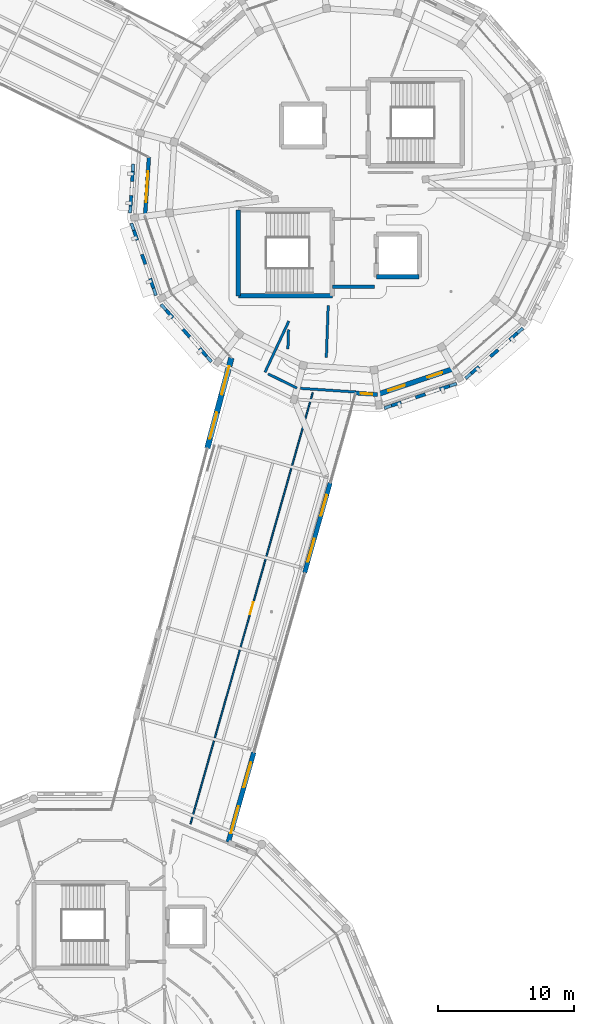
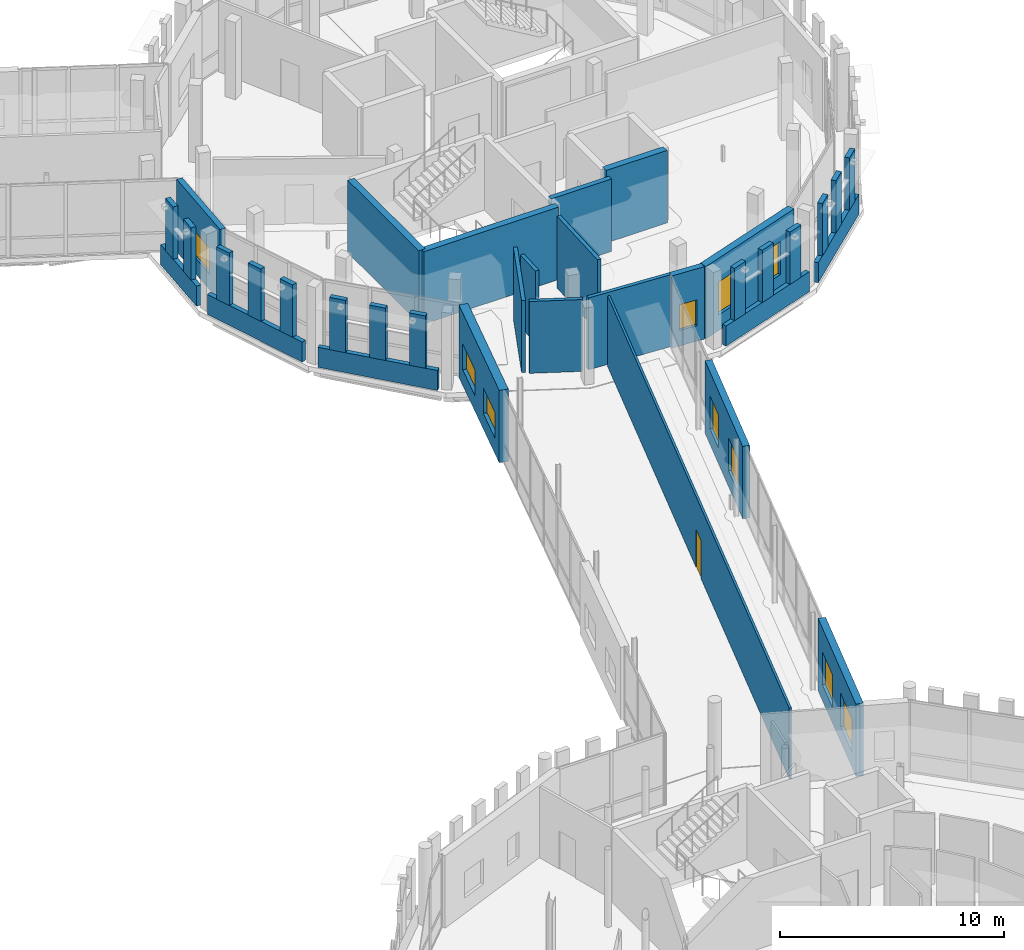
# One storey, part 101 of 125: 35 walls, 10 windows, 1 door, 11 openings.
"""IFC4 building model written with IfcOpenShell, lengths in metres."""

from ifc_helpers import new_model, si_unit, direction, frame, frame_2d, origin, place, context, subcontext, project, spatial, rectangle, extrude, material, layer, layer_set, type_object, element, fill, save


model = new_model("IFC4")

# Units and contexts
model_context = context("Model", 3, precision=1e-05, world=origin(), true_north=direction((0.0, 1.0)))
body_context = subcontext(model_context, "Body", "Model", "MODEL_VIEW")
ifc_project = project(units=[si_unit("LENGTHUNIT", "METRE"), si_unit("AREAUNIT", "SQUARE_METRE"), si_unit("VOLUMEUNIT", "CUBIC_METRE"), si_unit("PLANEANGLEUNIT", "RADIAN"), si_unit("MASSUNIT", "GRAM", prefix="KILO")], contexts=[model_context])

# Site, building, storey
site_placement = place(None, origin())
site = spatial("IfcSite", under=ifc_project, at=site_placement, CompositionType="ELEMENT")
building_placement = place(site_placement, origin())
building = spatial("IfcBuilding", under=site, at=building_placement, Name="Wrenclough Park School", CompositionType="ELEMENT")
storey_placement = place(building_placement, frame((0.0, 0.0, 4.199951171875)))
storey = spatial("IfcBuildingStorey", under=building, at=storey_placement, Name="L01", CompositionType="ELEMENT", Elevation=4.199951171875)

# Walls
ifc_material_1 = material(Name="Perforated open-bond Staffordshire and Manchester brick screen pier", Category="masonry")
ifc_layer_1 = layer(ifc_material_1, 0.2451171875)
ifc_layer_set_1 = layer_set([ifc_layer_1], Name="Perforated open-bond Staffordshire and Manchester brick screen pier")
wall_type_1 = type_object("IfcWallType", Name="ENV-BS-PR245", PredefinedType="ELEMENTEDWALL", material=ifc_layer_set_1)
for number, where, z_axis, x_axis, name in (
    (1, (158.450927734375, 94.822021484375, 1.090087890625), (0.0, 0.0, 1.0), (-0.065385923279, -0.997860050827, 0.0), "D5 L01 perforated brick screen pier 0367"),
    (2, (158.3330078125, 93.021240234375, 1.090087890625), (0.0, 0.0, 1.0), (-0.065385923279, -0.997860050827, 0.0), "D5 L01 perforated brick screen pier 0368"),
):
    element("IfcWall", number, at=place(storey_placement, frame(where, z_axis=z_axis, x_axis=x_axis)), inside=storey, type_object=wall_type_1, Name=name, PredefinedType="ELEMENTEDWALL", context=body_context, shape_type="SweptSolid", body=[
        extrude(rectangle(XDim=0.758056640625, YDim=0.2451171875, at=frame_2d((0.37890625, 0.0))), origin(), (0.0, 0.0, 1.0), 2.849853515625),
    ])
for number, where, z_axis, x_axis, name in (
    (3, (158.52783203125, 90.462158203125, 1.090087890625), (0.0, 0.0, 1.0), (0.321522655386, -0.946901886192, 0.0), "D5 L01 perforated brick screen pier 0369"),
    (4, (159.13134765625, 88.684326171875, 1.090087890625), (0.0, 0.0, 1.0), (0.32123461411, -0.946999642396, 0.0), "D5 L01 perforated brick screen pier 0370"),
):
    element("IfcWall", number, at=place(storey_placement, frame(where, z_axis=z_axis, x_axis=x_axis)), inside=storey, type_object=wall_type_1, Name=name, PredefinedType="ELEMENTEDWALL", context=body_context, shape_type="SweptSolid", body=[
        extrude(rectangle(XDim=0.760009765625, YDim=0.2451171875, at=frame_2d((0.3798828125, 0.0))), origin(), (0.0, 0.0, 1.0), 2.849853515625),
    ])
for number, where, z_axis, x_axis, name in (
    (5, (159.734619140625, 86.906494140625, 1.090087890625), (0.0, 0.0, 1.0), (0.321620473335, -0.946868666253, 0.0), "D5 L01 perforated brick screen pier 0371"),
    (6, (160.906005859375, 84.581298828125, 1.090087890625), (0.0, 0.0, 1.0), (0.659323125798, -0.751859704857, 0.0), "D5 L01 perforated brick screen pier 0372"),
):
    element("IfcWall", number, at=place(storey_placement, frame(where, z_axis=z_axis, x_axis=x_axis)), inside=storey, type_object=wall_type_1, Name=name, PredefinedType="ELEMENTEDWALL", context=body_context, shape_type="SweptSolid", body=[
        extrude(rectangle(XDim=0.759765625, YDim=0.2451171875, at=frame_2d((0.3798828125, 0.0))), origin(), (0.0, 0.0, 1.0), 2.849853515625),
    ])
wall_1_placement = place(storey_placement, frame((162.143798828125, 83.169921875, 1.090087890625), z_axis=(0.0, 0.0, 1.0), x_axis=(0.659345470196, -0.751840109951, 0.0)))
element("IfcWall", 7, at=wall_1_placement, inside=storey, type_object=wall_type_1, Name="D5 L01 perforated brick screen pier 0373", PredefinedType="ELEMENTEDWALL", context=body_context, shape_type="SweptSolid", body=[
    extrude(rectangle(XDim=0.76025390625, YDim=0.2451171875, at=frame_2d((0.380126953125, 0.0))), origin(), (0.0, 0.0, 1.0), 2.849853515625),
])
for number, where, z_axis, x_axis, name in (
    (8, (163.381591796875, 81.75830078125, 1.090087890625), (0.0, 0.0, 1.0), (0.659504701015, -0.751700438565, 0.0), "D5 L01 perforated brick screen pier 0374"),
    (9, (177.537841796875, 77.52783203125, 1.090087890625), (0.0, 0.0, 1.0), (0.946901886192, 0.321522655386, 0.0), "D5 L01 perforated brick screen pier 0375"),
    (10, (179.315673828125, 78.13134765625, 1.090087890625), (0.0, 0.0, 1.0), (0.946999642396, 0.32123461411, 0.0), "D5 L01 perforated brick screen pier 0376"),
):
    element("IfcWall", number, at=place(storey_placement, frame(where, z_axis=z_axis, x_axis=x_axis)), inside=storey, type_object=wall_type_1, Name=name, PredefinedType="ELEMENTEDWALL", context=body_context, shape_type="SweptSolid", body=[
        extrude(rectangle(XDim=0.760009765625, YDim=0.2451171875, at=frame_2d((0.3798828125, 0.0))), origin(), (0.0, 0.0, 1.0), 2.849853515625),
    ])
for number, where, z_axis, x_axis, name in (
    (11, (181.093505859375, 78.734619140625, 1.090087890625), (0.0, 0.0, 1.0), (0.946868666253, 0.321620473335, 0.0), "D5 L01 perforated brick screen pier 0377"),
    (12, (183.418701171875, 79.906005859375, 1.090087890625), (0.0, 0.0, 1.0), (0.751859704857, 0.659323125798, 0.0), "D5 L01 perforated brick screen pier 0378"),
):
    element("IfcWall", number, at=place(storey_placement, frame(where, z_axis=z_axis, x_axis=x_axis)), inside=storey, type_object=wall_type_1, Name=name, PredefinedType="ELEMENTEDWALL", context=body_context, shape_type="SweptSolid", body=[
        extrude(rectangle(XDim=0.759765625, YDim=0.2451171875, at=frame_2d((0.3798828125, 0.0))), origin(), (0.0, 0.0, 1.0), 2.849853515625),
    ])
wall_2_placement = place(storey_placement, frame((184.830078125, 81.143798828125, 1.090087890625), z_axis=(0.0, 0.0, 1.0), x_axis=(0.751840109951, 0.659345470196, 0.0)))
element("IfcWall", 13, at=wall_2_placement, inside=storey, type_object=wall_type_1, Name="D5 L01 perforated brick screen pier 0379", PredefinedType="ELEMENTEDWALL", context=body_context, shape_type="SweptSolid", body=[
    extrude(rectangle(XDim=0.76025390625, YDim=0.2451171875, at=frame_2d((0.380126953125, 0.0))), origin(), (0.0, 0.0, 1.0), 2.849853515625),
])
wall_3_placement = place(storey_placement, frame((186.24169921875, 82.381591796875, 1.090087890625), z_axis=(0.0, 0.0, 1.0), x_axis=(0.751700438565, 0.659504701015, 0.0)))
element("IfcWall", 14, at=wall_3_placement, inside=storey, type_object=wall_type_1, Name="D5 L01 perforated brick screen pier 0380", PredefinedType="ELEMENTEDWALL", context=body_context, shape_type="SweptSolid", body=[
    extrude(rectangle(XDim=0.760009765625, YDim=0.2451171875, at=frame_2d((0.3798828125, 0.0))), origin(), (0.0, 0.0, 1.0), 2.849853515625),
])
ifc_material_2 = material(Name="Open-bond Manchester multi-stock brick spandrel screen", Category="masonry")
ifc_layer_2 = layer(ifc_material_2, 0.22509765625)
ifc_layer_set_2 = layer_set([ifc_layer_2], Name="Open-bond Manchester multi-stock brick spandrel screen")
wall_type_2 = type_object("IfcWallType", Name="ENV-BS-SP225", PredefinedType="ELEMENTEDWALL", material=ifc_layer_set_2)
wall_4_placement = place(storey_placement, frame((158.485107421875, 95.343994140625, 0.0), z_axis=(0.0, 0.0, 1.0), x_axis=(-0.065351524468, -0.997862304253, 0.0)))
element("IfcWall", 15, at=wall_4_placement, inside=storey, type_object=wall_type_2, Name="D5 L01 open-bond brick screen spandrel 0102", PredefinedType="ELEMENTEDWALL", context=body_context, shape_type="SweptSolid", body=[
    extrude(rectangle(XDim=3.60888671875, YDim=0.22509765625, at=frame_2d((1.804443359375, 0.0))), origin(), (0.0, 0.0, 1.0), 1.090087890625),
])
wall_5_placement = place(storey_placement, frame((158.34814453125, 90.9912109375, 0.0), z_axis=(0.0, 0.0, 1.0), x_axis=(0.321450435893, -0.946926405411, 0.0)))
element("IfcWall", 16, at=wall_5_placement, inside=storey, type_object=wall_type_2, Name="D5 L01 open-bond brick screen spandrel 0103", PredefinedType="ELEMENTEDWALL", context=body_context, shape_type="SweptSolid", body=[
    extrude(rectangle(XDim=5.63232421875, YDim=0.22509765625, at=frame_2d((2.816162109375, 0.0))), origin(), (0.0, 0.0, 1.0), 1.090087890625),
])
wall_6_placement = place(storey_placement, frame((160.53759765625, 85.001220703125, 0.0), z_axis=(0.0, 0.0, 1.0), x_axis=(0.659363462551, -0.751824330714, 0.0)))
element("IfcWall", 17, at=wall_6_placement, inside=storey, type_object=wall_type_2, Name="D5 L01 open-bond brick screen spandrel 0104", PredefinedType="ELEMENTEDWALL", context=body_context, shape_type="SweptSolid", body=[
    extrude(rectangle(XDim=5.632080078125, YDim=0.22509765625, at=frame_2d((2.81591796875, 0.0))), origin(), (0.0, 0.0, 1.0), 1.090087890625),
])
wall_7_placement = place(storey_placement, frame((177.0087890625, 77.34814453125, 0.0), z_axis=(0.0, 0.0, 1.0), x_axis=(0.946926405411, 0.321450435893, 0.0)))
element("IfcWall", 18, at=wall_7_placement, inside=storey, type_object=wall_type_2, Name="D5 L01 open-bond brick screen spandrel 0105", PredefinedType="ELEMENTEDWALL", context=body_context, shape_type="SweptSolid", body=[
    extrude(rectangle(XDim=5.63232421875, YDim=0.22509765625, at=frame_2d((2.816162109375, 0.0))), origin(), (0.0, 0.0, 1.0), 1.090087890625),
])
wall_8_placement = place(storey_placement, frame((182.998779296875, 79.53759765625, 0.0), z_axis=(0.0, 0.0, 1.0), x_axis=(0.751824330714, 0.659363462551, 0.0)))
element("IfcWall", 19, at=wall_8_placement, inside=storey, type_object=wall_type_2, Name="D5 L01 open-bond brick screen spandrel 0106", PredefinedType="ELEMENTEDWALL", context=body_context, shape_type="SweptSolid", body=[
    extrude(rectangle(XDim=5.632080078125, YDim=0.22509765625, at=frame_2d((2.81591796875, 0.0))), origin(), (0.0, 0.0, 1.0), 1.090087890625),
])

# Wall, opening, window
ifc_material_3 = material(Name="Link wing brick-faced cavity wall Concrete C32/40", Category="masonry")
ifc_layer_3 = layer(ifc_material_3, 0.27490234375)
ifc_layer_set_3 = layer_set([ifc_layer_3], Name="Link wing brick-faced cavity wall Concrete C32/40")
wall_type_3 = type_object("IfcWallType", Name="ENV-EW-275", PredefinedType="SOLIDWALL", material=ifc_layer_set_3)
wall_9_placement = place(storey_placement, frame((159.35302734375, 91.505859375, 0.0), z_axis=(0.0, 0.0, 1.0), x_axis=(0.065411302984, 0.997858387469, 0.0)))
wall_9 = element("IfcWall", 20, at=wall_9_placement, inside=storey, type_object=wall_type_3, Name="L01 insulated brick external wall 0118", PredefinedType="SOLIDWALL", context=body_context, shape_type="SweptSolid", body=[
    extrude(rectangle(XDim=4.359375, YDim=0.27490234375, at=frame_2d((2.1796875, 0.0))), origin(), (0.0, 0.0, 1.0), 3.93994140625),
])
opening_1_placement = place(wall_9_placement, frame((1.02978515625, 0.0, 0.85009765625)))
opening_1 = element("IfcOpeningElement", 21, at=opening_1_placement, cuts=wall_9, Name="Opening WN-11", PredefinedType="OPENING", context=body_context, shape_type="SweptSolid", body=[
    extrude(rectangle(XDim=2.300048828125, YDim=1.39990234375, at=frame_2d((1.14990234375, 0.699951171875))), frame((0.0, 0.1474609375, 0.0), z_axis=(0.0, -1.0, 0.0), x_axis=(1.0, 0.0, 0.0)), (0.0, 0.0, 1.0), 0.294921875),
])
ifc_material_4 = material(Name="Thermally broken aluminium and double-glazed low-e glass", Category="aluminium")
window_type_1 = type_object("IfcWindowType", Name="ENV-WN-11", PartitioningType="DOUBLE_PANEL_VERTICAL", PredefinedType="WINDOW", material=ifc_material_4)
window_1_placement = place(opening_1_placement, origin())
window_1 = element("IfcWindow", 22, at=window_1_placement, inside=storey, type_object=window_type_1, Name="L01 scheduled facade window 0178", OverallHeight=1.39990234375, OverallWidth=2.300048828125, PartitioningType="SINGLE_PANEL", PredefinedType="WINDOW", context=body_context, shape_type="SweptSolid", body=[
    extrude(rectangle(XDim=2.300048828125, YDim=1.39990234375, at=frame_2d((1.14990234375, 0.699951171875))), frame((0.0, 0.030029296875, 0.0), z_axis=(0.0, -1.0, 0.0), x_axis=(1.0, 0.0, 0.0)), (0.0, 0.0, 1.0), 0.06005859375),
])
fill(opening_1, window_1)

ifc_material_5 = material(Name="Manchester multi-stock brick and Concrete C32/40 inner leaf", Category="masonry")
ifc_layer_4 = layer(ifc_material_5, 0.300048828125)
ifc_layer_set_4 = layer_set([ifc_layer_4], Name="Manchester multi-stock brick and Concrete C32/40 inner leaf")
wall_type_4 = type_object("IfcWallType", Name="ENV-EW-300", PredefinedType="SOLIDWALL", material=ifc_layer_set_4)
wall_10_placement = place(storey_placement, frame((176.494140625, 78.35302734375, 0.0), z_axis=(0.0, 0.0, 1.0), x_axis=(-0.997862476256, 0.06534889808, 0.0)))
wall_10 = element("IfcWall", 23, at=wall_10_placement, inside=storey, type_object=wall_type_4, Name="L01 insulated brick external wall 0096", PredefinedType="SOLIDWALL", context=body_context, shape_type="SweptSolid", body=[
    extrude(rectangle(XDim=1.6064453125, YDim=0.300048828125, at=frame_2d((0.80322265625, 0.0))), origin(), (0.0, 0.0, 1.0), 3.93994140625),
])
opening_2_placement = place(wall_10_placement, frame((0.378173828125, 0.0, 0.85009765625)))
opening_2 = element("IfcOpeningElement", 24, at=opening_2_placement, cuts=wall_10, Name="Opening WN-01", PredefinedType="OPENING", context=body_context, shape_type="SweptSolid", body=[
    extrude(rectangle(XDim=0.85009765625, YDim=1.39990234375, at=frame_2d((0.425048828125, 0.699951171875))), frame((0.0, 0.159912109375, 0.0), z_axis=(0.0, -1.0, 0.0), x_axis=(1.0, 0.0, 0.0)), (0.0, 0.0, 1.0), 0.320068359375),
])
window_type_2 = type_object("IfcWindowType", Name="ENV-WN-01", PartitioningType="SINGLE_PANEL", PredefinedType="WINDOW", material=ifc_material_4)
window_2_placement = place(opening_2_placement, origin())
window_2 = element("IfcWindow", 25, at=window_2_placement, inside=storey, type_object=window_type_2, Name="L01 scheduled facade window 0139", OverallHeight=1.39990234375, OverallWidth=0.85009765625, PartitioningType="SINGLE_PANEL", PredefinedType="WINDOW", context=body_context, shape_type="SweptSolid", body=[
    extrude(rectangle(XDim=0.85009765625, YDim=1.39990234375, at=frame_2d((0.425048828125, 0.699951171875))), frame((0.0, 0.030029296875, 0.0), z_axis=(0.0, -1.0, 0.0), x_axis=(1.0, 0.0, 0.0)), (0.0, 0.0, 1.0), 0.06005859375),
])
fill(opening_2, window_2)

# Wall, openings, windows
ifc_layer_5 = layer(ifc_material_5, 0.324951171875)
ifc_layer_set_5 = layer_set([ifc_layer_5], Name="Manchester multi-stock brick and Concrete C32/40 inner leaf")
wall_type_5 = type_object("IfcWallType", Name="ENV-EW-325", PredefinedType="SOLIDWALL", material=ifc_layer_set_5)
wall_11_placement = place(storey_placement, frame((173.01171875, 71.83056640625, 0.0), z_axis=(0.0, 0.0, 1.0), x_axis=(-0.272843682921, -0.962058379045, 0.0)))
wall_11 = element("IfcWall", 26, at=wall_11_placement, inside=storey, type_object=wall_type_5, Name="L01 insulated brick external wall 0097", PredefinedType="SOLIDWALL", context=body_context, shape_type="SweptSolid", body=[
    extrude(rectangle(XDim=6.88916015625, YDim=0.324951171875, at=frame_2d((3.444580078125, 0.0))), origin(), (0.0, 0.0, 1.0), 3.93994140625),
])
opening_3_placement = place(wall_11_placement, frame((0.922119140625, 0.0, 0.85009765625)))
opening_3 = element("IfcOpeningElement", 27, at=opening_3_placement, cuts=wall_11, Name="Opening WN-29", PredefinedType="OPENING", context=body_context, shape_type="SweptSolid", body=[
    extrude(rectangle(XDim=1.60009765625, YDim=1.800048828125, at=frame_2d((0.800048828125, 0.89990234375))), frame((0.0, 0.17236328125, 0.0), z_axis=(0.0, -1.0, 0.0), x_axis=(1.0, 0.0, 0.0)), (0.0, 0.0, 1.0), 0.344970703125),
])
opening_4_placement = place(wall_11_placement, frame((4.291748046875, 0.0, 0.85009765625)))
opening_4 = element("IfcOpeningElement", 28, at=opening_4_placement, cuts=wall_11, Name="Opening WN-30", PredefinedType="OPENING", context=body_context, shape_type="SweptSolid", body=[
    extrude(rectangle(XDim=1.75, YDim=1.800048828125, at=frame_2d((0.875, 0.89990234375))), frame((0.0, 0.17236328125, 0.0), z_axis=(0.0, -1.0, 0.0), x_axis=(1.0, 0.0, 0.0)), (0.0, 0.0, 1.0), 0.344970703125),
])
window_type_3 = type_object("IfcWindowType", Name="ENV-WN-29", PartitioningType="DOUBLE_PANEL_VERTICAL", PredefinedType="WINDOW", material=ifc_material_4)
window_3_placement = place(opening_3_placement, origin())
window_3 = element("IfcWindow", 29, at=window_3_placement, inside=storey, type_object=window_type_3, Name="L01 scheduled facade window 0140", OverallHeight=1.800048828125, OverallWidth=1.60009765625, PartitioningType="SINGLE_PANEL", PredefinedType="WINDOW", context=body_context, shape_type="SweptSolid", body=[
    extrude(rectangle(XDim=1.60009765625, YDim=1.800048828125, at=frame_2d((0.800048828125, 0.89990234375))), frame((0.0, 0.030029296875, 0.0), z_axis=(0.0, -1.0, 0.0), x_axis=(1.0, 0.0, 0.0)), (0.0, 0.0, 1.0), 0.06005859375),
])
fill(opening_3, window_3)
window_type_4 = type_object("IfcWindowType", Name="ENV-WN-30", PartitioningType="DOUBLE_PANEL_VERTICAL", PredefinedType="WINDOW", material=ifc_material_4)
window_4_placement = place(opening_4_placement, origin())
window_4 = element("IfcWindow", 30, at=window_4_placement, inside=storey, type_object=window_type_4, Name="L01 scheduled facade window 0141", OverallHeight=1.800048828125, OverallWidth=1.75, PartitioningType="SINGLE_PANEL", PredefinedType="WINDOW", context=body_context, shape_type="SweptSolid", body=[
    extrude(rectangle(XDim=1.75, YDim=1.800048828125, at=frame_2d((0.875, 0.89990234375))), frame((0.0, 0.030029296875, 0.0), z_axis=(0.0, -1.0, 0.0), x_axis=(1.0, 0.0, 0.0)), (0.0, 0.0, 1.0), 0.06005859375),
])
fill(opening_4, window_4)

ifc_material_6 = material(Name="Staffordshire blue-grey brick and Concrete C35/45 inner leaf", Category="masonry")
ifc_layer_6 = layer(ifc_material_6, 0.35009765625)
ifc_layer_set_6 = layer_set([ifc_layer_6], Name="Staffordshire blue-grey brick and Concrete C35/45 inner leaf")
wall_type_6 = type_object("IfcWallType", Name="ENV-EW-350", PredefinedType="SOLIDWALL", material=ifc_layer_set_6)
wall_12_placement = place(storey_placement, frame((167.373291015625, 51.94775390625, 0.0), z_axis=(0.0, 0.0, 1.0), x_axis=(-0.27282018356, -0.962065043249, 0.0)))
wall_12 = element("IfcWall", 31, at=wall_12_placement, inside=storey, type_object=wall_type_6, Name="L01 insulated brick external wall 0098", PredefinedType="SOLIDWALL", context=body_context, shape_type="SweptSolid", body=[
    extrude(rectangle(XDim=6.888671875, YDim=0.35009765625, at=frame_2d((3.4443359375, 0.0))), origin(), (0.0, 0.0, 1.0), 3.93994140625),
])
opening_5_placement = place(wall_12_placement, frame((0.772216796875, 0.0, 0.85009765625)))
opening_5 = element("IfcOpeningElement", 32, at=opening_5_placement, cuts=wall_12, Name="Opening WN-31", PredefinedType="OPENING", context=body_context, shape_type="SweptSolid", body=[
    extrude(rectangle(XDim=1.89990234375, YDim=1.800048828125, at=frame_2d((0.949951171875, 0.89990234375))), frame((0.0, 0.18505859375, 0.0), z_axis=(0.0, -1.0, 0.0), x_axis=(1.0, 0.0, 0.0)), (0.0, 0.0, 1.0), 0.3701171875),
])
opening_6_placement = place(wall_12_placement, frame((4.1416015625, 0.0, 0.85009765625)))
opening_6 = element("IfcOpeningElement", 33, at=opening_6_placement, cuts=wall_12, Name="Opening WN-32", PredefinedType="OPENING", context=body_context, shape_type="SweptSolid", body=[
    extrude(rectangle(XDim=2.050048828125, YDim=1.800048828125, at=frame_2d((1.02490234375, 0.89990234375))), frame((0.0, 0.18505859375, 0.0), z_axis=(0.0, -1.0, 0.0), x_axis=(1.0, 0.0, 0.0)), (0.0, 0.0, 1.0), 0.3701171875),
])
window_type_5 = type_object("IfcWindowType", Name="ENV-WN-31", PartitioningType="DOUBLE_PANEL_VERTICAL", PredefinedType="WINDOW", material=ifc_material_4)
window_5_placement = place(opening_5_placement, origin())
window_5 = element("IfcWindow", 34, at=window_5_placement, inside=storey, type_object=window_type_5, Name="L01 scheduled facade window 0142", OverallHeight=1.800048828125, OverallWidth=1.89990234375, PartitioningType="SINGLE_PANEL", PredefinedType="WINDOW", context=body_context, shape_type="SweptSolid", body=[
    extrude(rectangle(XDim=1.89990234375, YDim=1.800048828125, at=frame_2d((0.949951171875, 0.89990234375))), frame((0.0, 0.030029296875, 0.0), z_axis=(0.0, -1.0, 0.0), x_axis=(1.0, 0.0, 0.0)), (0.0, 0.0, 1.0), 0.06005859375),
])
fill(opening_5, window_5)
window_type_6 = type_object("IfcWindowType", Name="ENV-WN-32", PartitioningType="DOUBLE_PANEL_VERTICAL", PredefinedType="WINDOW", material=ifc_material_4)
window_6_placement = place(opening_6_placement, origin())
window_6 = element("IfcWindow", 35, at=window_6_placement, inside=storey, type_object=window_type_6, Name="L01 scheduled facade window 0143", OverallHeight=1.800048828125, OverallWidth=2.050048828125, PartitioningType="SINGLE_PANEL", PredefinedType="WINDOW", context=body_context, shape_type="SweptSolid", body=[
    extrude(rectangle(XDim=2.050048828125, YDim=1.800048828125, at=frame_2d((1.02490234375, 0.89990234375))), frame((0.0, 0.030029296875, 0.0), z_axis=(0.0, -1.0, 0.0), x_axis=(1.0, 0.0, 0.0)), (0.0, 0.0, 1.0), 0.06005859375),
])
fill(opening_6, window_6)

ifc_material_7 = material(Name="Faceted courtyard brick-cavity wall Concrete C35/45", Category="masonry")
ifc_layer_7 = layer(ifc_material_7, 0.364990234375)
ifc_layer_set_7 = layer_set([ifc_layer_7], Name="Faceted courtyard brick-cavity wall Concrete C35/45")
wall_type_7 = type_object("IfcWallType", Name="ENV-EW-365", PredefinedType="SOLIDWALL", material=ifc_layer_set_7)
wall_13_placement = place(storey_placement, frame((182.138916015625, 80.26904296875, 0.0), z_axis=(0.0, 0.0, 1.0), x_axis=(-0.94693663561, -0.321420298269, 0.0)))
wall_13 = element("IfcWall", 36, at=wall_13_placement, inside=storey, type_object=wall_type_7, Name="L01 insulated brick external wall 0095", PredefinedType="SOLIDWALL", context=body_context, shape_type="SweptSolid", body=[
    extrude(rectangle(XDim=5.961181640625, YDim=0.364990234375, at=frame_2d((2.98046875, 0.0))), origin(), (0.0, 0.0, 1.0), 3.93994140625),
])
opening_7_placement = place(wall_13_placement, frame((0.915283203125, 0.0, 0.85009765625)))
opening_7 = element("IfcOpeningElement", 37, at=opening_7_placement, cuts=wall_13, Name="Opening WN-26", PredefinedType="OPENING", context=body_context, shape_type="SweptSolid", body=[
    extrude(rectangle(XDim=1.14990234375, YDim=1.800048828125, at=frame_2d((0.574951171875, 0.89990234375))), frame((0.0, 0.1923828125, 0.0), z_axis=(0.0, -1.0, 0.0), x_axis=(1.0, 0.0, 0.0)), (0.0, 0.0, 1.0), 0.385009765625),
])
opening_8_placement = place(wall_13_placement, frame((3.82080078125, 0.0, 0.85009765625)))
opening_8 = element("IfcOpeningElement", 38, at=opening_8_placement, cuts=wall_13, Name="Opening WN-27", PredefinedType="OPENING", context=body_context, shape_type="SweptSolid", body=[
    extrude(rectangle(XDim=1.300048828125, YDim=1.800048828125, at=frame_2d((0.64990234375, 0.89990234375))), frame((0.0, 0.1923828125, 0.0), z_axis=(0.0, -1.0, 0.0), x_axis=(1.0, 0.0, 0.0)), (0.0, 0.0, 1.0), 0.385009765625),
])
window_type_7 = type_object("IfcWindowType", Name="ENV-WN-26", PartitioningType="SINGLE_PANEL", PredefinedType="WINDOW", material=ifc_material_4)
window_7_placement = place(opening_7_placement, origin())
window_7 = element("IfcWindow", 39, at=window_7_placement, inside=storey, type_object=window_type_7, Name="L01 scheduled facade window 0137", OverallHeight=1.800048828125, OverallWidth=1.14990234375, PartitioningType="SINGLE_PANEL", PredefinedType="WINDOW", context=body_context, shape_type="SweptSolid", body=[
    extrude(rectangle(XDim=1.14990234375, YDim=1.800048828125, at=frame_2d((0.574951171875, 0.89990234375))), frame((0.0, 0.030029296875, 0.0), z_axis=(0.0, -1.0, 0.0), x_axis=(1.0, 0.0, 0.0)), (0.0, 0.0, 1.0), 0.06005859375),
])
fill(opening_7, window_7)
window_type_8 = type_object("IfcWindowType", Name="ENV-WN-27", PartitioningType="SINGLE_PANEL", PredefinedType="WINDOW", material=ifc_material_4)
window_8_placement = place(opening_8_placement, origin())
window_8 = element("IfcWindow", 40, at=window_8_placement, inside=storey, type_object=window_type_8, Name="L01 scheduled facade window 0138", OverallHeight=1.800048828125, OverallWidth=1.300048828125, PartitioningType="SINGLE_PANEL", PredefinedType="WINDOW", context=body_context, shape_type="SweptSolid", body=[
    extrude(rectangle(XDim=1.300048828125, YDim=1.800048828125, at=frame_2d((0.64990234375, 0.89990234375))), frame((0.0, 0.030029296875, 0.0), z_axis=(0.0, -1.0, 0.0), x_axis=(1.0, 0.0, 0.0)), (0.0, 0.0, 1.0), 0.06005859375),
])
fill(opening_8, window_8)

ifc_material_8 = material(Name="Insulated brick-clad sports hall wall Concrete C40/50", Category="masonry")
ifc_layer_8 = layer(ifc_material_8, 0.425048828125)
ifc_layer_set_8 = layer_set([ifc_layer_8], Name="Insulated brick-clad sports hall wall Concrete C40/50")
wall_type_8 = type_object("IfcWallType", Name="ENV-EW-425", PredefinedType="SOLIDWALL", material=ifc_layer_set_8)
wall_14_placement = place(storey_placement, frame((163.9501953125, 74.3916015625, 0.0), z_axis=(0.0, 0.0, 1.0), x_axis=(0.256900738099, 0.966437794565, 0.0)))
wall_14 = element("IfcWall", 41, at=wall_14_placement, inside=storey, type_object=wall_type_8, Name="L01 insulated brick external wall 0117", PredefinedType="SOLIDWALL", context=body_context, shape_type="SweptSolid", body=[
    extrude(rectangle(XDim=6.9013671875, YDim=0.425048828125, at=frame_2d((3.45068359375, 0.0))), origin(), (0.0, 0.0, 1.0), 3.93994140625),
])
opening_9_placement = place(wall_14_placement, frame((0.725341796875, 0.0, 0.85009765625)))
opening_9 = element("IfcOpeningElement", 42, at=opening_9_placement, cuts=wall_14, Name="Opening WN-09", PredefinedType="OPENING", context=body_context, shape_type="SweptSolid", body=[
    extrude(rectangle(XDim=2.0, YDim=1.39990234375, at=frame_2d((1.0, 0.699951171875))), frame((0.0, 0.222412109375, 0.0), z_axis=(0.0, -1.0, 0.0), x_axis=(1.0, 0.0, 0.0)), (0.0, 0.0, 1.0), 0.445068359375),
])
opening_10_placement = place(wall_14_placement, frame((4.10107421875, 0.0, 0.85009765625)))
opening_10 = element("IfcOpeningElement", 43, at=opening_10_placement, cuts=wall_14, Name="Opening WN-10", PredefinedType="OPENING", context=body_context, shape_type="SweptSolid", body=[
    extrude(rectangle(XDim=2.14990234375, YDim=1.39990234375, at=frame_2d((1.074951171875, 0.699951171875))), frame((0.0, 0.222412109375, 0.0), z_axis=(0.0, -1.0, 0.0), x_axis=(1.0, 0.0, 0.0)), (0.0, 0.0, 1.0), 0.445068359375),
])
window_type_9 = type_object("IfcWindowType", Name="ENV-WN-09", PartitioningType="DOUBLE_PANEL_VERTICAL", PredefinedType="WINDOW", material=ifc_material_4)
window_9_placement = place(opening_9_placement, origin())
window_9 = element("IfcWindow", 44, at=window_9_placement, inside=storey, type_object=window_type_9, Name="L01 scheduled facade window 0176", OverallHeight=1.39990234375, OverallWidth=2.0, PartitioningType="SINGLE_PANEL", PredefinedType="WINDOW", context=body_context, shape_type="SweptSolid", body=[
    extrude(rectangle(XDim=2.0, YDim=1.39990234375, at=frame_2d((1.0, 0.699951171875))), frame((0.0, 0.030029296875, 0.0), z_axis=(0.0, -1.0, 0.0), x_axis=(1.0, 0.0, 0.0)), (0.0, 0.0, 1.0), 0.06005859375),
])
fill(opening_9, window_9)
window_type_10 = type_object("IfcWindowType", Name="ENV-WN-10", PartitioningType="DOUBLE_PANEL_VERTICAL", PredefinedType="WINDOW", material=ifc_material_4)
window_10_placement = place(opening_10_placement, origin())
window_10 = element("IfcWindow", 45, at=window_10_placement, inside=storey, type_object=window_type_10, Name="L01 scheduled facade window 0177", OverallHeight=1.39990234375, OverallWidth=2.14990234375, PartitioningType="SINGLE_PANEL", PredefinedType="WINDOW", context=body_context, shape_type="SweptSolid", body=[
    extrude(rectangle(XDim=2.14990234375, YDim=1.39990234375, at=frame_2d((1.074951171875, 0.699951171875))), frame((0.0, 0.030029296875, 0.0), z_axis=(0.0, -1.0, 0.0), x_axis=(1.0, 0.0, 0.0)), (0.0, 0.0, 1.0), 0.06005859375),
])
fill(opening_10, window_10)

# Walls
ifc_material_9 = material(Name="Concrete C35/45", Category="concrete")
ifc_layer_9 = layer(ifc_material_9, 0.25)
ifc_layer_set_9 = layer_set([ifc_layer_9], Name="Concrete C35/45")
wall_type_9 = type_object("IfcWallType", Name="INT-CW-250", PredefinedType="SHEAR", material=ifc_layer_set_9)
wall_15_placement = place(storey_placement, frame((173.199951171875, 86.300048828125, 0.0), z_axis=(0.0, 0.0, 1.0), x_axis=(1.0, 0.0, 0.0)))
element("IfcWall", 46, at=wall_15_placement, inside=storey, type_object=wall_type_9, Name="Core C5 L01 lobby fire wall south", PredefinedType="SHEAR", context=body_context, shape_type="SweptSolid", body=[
    extrude(rectangle(XDim=3.10009765625, YDim=0.25, at=frame_2d((1.550048828125, 0.0))), origin(), (0.0, 0.0, 1.0), 3.949951171875),
])
ifc_material_10 = material(Name="Concrete C40/50", Category="concrete")
ifc_layer_10 = layer(ifc_material_10, 0.340087890625)
ifc_layer_set_10 = layer_set([ifc_layer_10], Name="Concrete C40/50")
wall_type_10 = type_object("IfcWallType", Name="INT-CW-340", PredefinedType="SHEAR", material=ifc_layer_set_10)
wall_16_placement = place(storey_placement, frame((166.22998046875, 85.6298828125, 0.0), z_axis=(0.0, 0.0, 1.0), x_axis=(1.0, 0.0, 0.0)))
element("IfcWall", 47, at=wall_16_placement, inside=storey, type_object=wall_type_10, Name="Core C5 L01 south shear wall", PredefinedType="SHEAR", context=body_context, shape_type="SweptSolid", body=[
    extrude(rectangle(XDim=6.93994140625, YDim=0.340087890625, at=frame_2d((3.469970703125, 0.0))), origin(), (0.0, 0.0, 1.0), 3.949951171875),
])
wall_17_placement = place(storey_placement, frame((166.22998046875, 91.969970703125, 0.0), z_axis=(0.0, 0.0, 1.0), x_axis=(0.0, -1.0, 0.0)))
element("IfcWall", 48, at=wall_17_placement, inside=storey, type_object=wall_type_10, Name="Core C5 L01 west shear wall", PredefinedType="SHEAR", context=body_context, shape_type="SweptSolid", body=[
    extrude(rectangle(XDim=6.340087890625, YDim=0.340087890625, at=frame_2d((3.169921875, 0.0))), origin(), (0.0, 0.0, 1.0), 3.949951171875),
])
wall_18_placement = place(storey_placement, frame((176.429931640625, 87.030029296875, 0.0), z_axis=(0.0, 0.0, 1.0), x_axis=(1.0, 0.0, 0.0)))
element("IfcWall", 49, at=wall_18_placement, inside=storey, type_object=wall_type_10, Name="Lift LFT-01 L01 south shaft wall", PredefinedType="SHEAR", context=body_context, shape_type="SweptSolid", body=[
    extrude(rectangle(XDim=3.14013671875, YDim=0.340087890625, at=frame_2d((1.570068359375, 0.0))), origin(), (0.0, 0.0, 1.0), 3.949951171875),
])

# Wall, opening, door
ifc_material_11 = material(Name="Lightweight fire-rated store partition", Category="gypsum")
ifc_layer_11 = layer(ifc_material_11, 0.110107421875)
ifc_layer_set_11 = layer_set([ifc_layer_11], Name="Lightweight fire-rated store partition")
wall_type_11 = type_object("IfcWallType", Name="INT-PW-110", PredefinedType="PARTITIONING", material=ifc_layer_set_11)
wall_19_placement = place(storey_placement, frame((171.727783203125, 78.4951171875, 0.0), z_axis=(0.0, 0.0, 1.0), x_axis=(-0.272757949725, -0.962082689202, 0.0)))
wall_19 = element("IfcWall", 50, at=wall_19_placement, inside=storey, type_object=wall_type_11, Name="L01 internal partition 0298", PredefinedType="PARTITIONING", context=body_context, shape_type="SweptSolid", body=[
    extrude(rectangle(XDim=33.08935546875, YDim=0.110107421875, at=frame_2d((16.544677734375, 0.0))), origin(), (0.0, 0.0, 1.0), 3.85498046875),
])
opening_11_placement = place(wall_19_placement, frame((16.084716796875, 0.0, 0.0)))
opening_11 = element("IfcOpeningElement", 51, at=opening_11_placement, cuts=wall_19, Name="Opening DR-L01-056", PredefinedType="OPENING", context=body_context, shape_type="SweptSolid", body=[
    extrude(rectangle(XDim=0.919921875, YDim=2.080078125, at=frame_2d((0.4599609375, 1.0400390625))), frame((0.0, 0.06494140625, 0.0), z_axis=(0.0, -1.0, 0.0), x_axis=(1.0, 0.0, 0.0)), (0.0, 0.0, 1.0), 0.130126953125),
])
ifc_material_12 = material(Name="Acoustic classroom single leaf vision door assembly", Category="wood")
door_type = type_object("IfcDoorType", Name="INT-DR-CL092", OperationType="NOTDEFINED", PredefinedType="DOOR", material=ifc_material_12)
door_placement = place(opening_11_placement, origin())
door = element("IfcDoor", 52, at=door_placement, inside=storey, type_object=door_type, Name="Park View Seminar Classroom L01 door DR-L01-056", OperationType="SINGLE_SWING_LEFT", OverallHeight=2.080078125, OverallWidth=0.919921875, PredefinedType="DOOR", context=body_context, shape_type="SweptSolid", body=[
    extrude(rectangle(XDim=0.919921875, YDim=2.080078125, at=frame_2d((0.4599609375, 1.0400390625))), frame((0.0, 0.02490234375, 0.0), z_axis=(0.0, -1.0, 0.0), x_axis=(1.0, 0.0, 0.0)), (0.0, 0.0, 1.0), 0.050048828125),
])
fill(opening_11, door)

# Walls
ifc_material_13 = material(Name="Laboratory fire and acoustic partition", Category="gypsum")
ifc_layer_12 = layer(ifc_material_13, 0.18505859375)
ifc_layer_set_12 = layer_set([ifc_layer_12], Name="Laboratory fire and acoustic partition")
wall_type_12 = type_object("IfcWallType", Name="INT-PW-185", PredefinedType="PARTITIONING", material=ifc_layer_set_12)
wall_20_placement = place(storey_placement, frame((168.19970703125, 79.989013671875, 0.0), z_axis=(0.0, 0.0, 1.0), x_axis=(0.422629122355, 0.90630272257, 0.0)))
element("IfcWall", 53, at=wall_20_placement, inside=storey, type_object=wall_type_12, Name="L01 internal partition 0260", PredefinedType="PARTITIONING", context=body_context, shape_type="SweptSolid", body=[
    extrude(rectangle(XDim=4.17138671875, YDim=0.18505859375, at=frame_2d((2.085693359375, 0.0))), origin(), (0.0, 0.0, 1.0), 3.9150390625),
])
wall_21_placement = place(storey_placement, frame((172.865478515625, 84.920166015625, 0.0), z_axis=(0.0, 0.0, 1.0), x_axis=(-0.03562358123, -0.999365278795, 0.0)))
element("IfcWall", 54, at=wall_21_placement, inside=storey, type_object=wall_type_12, Name="L01 internal partition 0262", PredefinedType="PARTITIONING", context=body_context, shape_type="SweptSolid", body=[
    extrude(rectangle(XDim=3.8447265625, YDim=0.18505859375, at=frame_2d((1.92236328125, 0.0))), origin(), (0.0, 0.0, 1.0), 3.9150390625),
])
wall_22_placement = place(storey_placement, frame((169.8916015625, 81.704345703125, 0.0), z_axis=(0.0, 0.0, 1.0), x_axis=(0.034214806645, 0.999414502099, 0.0)))
element("IfcWall", 55, at=wall_22_placement, inside=storey, type_object=wall_type_12, Name="L01 internal partition 0263", PredefinedType="PARTITIONING", context=body_context, shape_type="SweptSolid", body=[
    extrude(rectangle(XDim=1.427001953125, YDim=0.18505859375, at=frame_2d((0.71337890625, 0.0))), origin(), (0.0, 0.0, 1.0), 3.9150390625),
])
wall_23_placement = place(storey_placement, frame((168.423828125, 79.878662109375, 0.0), z_axis=(0.0, 0.0, 1.0), x_axis=(0.896865873731, -0.442302616471, 0.0)))
element("IfcWall", 56, at=wall_23_placement, inside=storey, type_object=wall_type_12, Name="L01 internal partition 0264", PredefinedType="PARTITIONING", context=body_context, shape_type="SweptSolid", body=[
    extrude(rectangle(XDim=2.389404296875, YDim=0.18505859375, at=frame_2d((1.19482421875, 0.0))), origin(), (0.0, 0.0, 1.0), 3.9150390625),
])
wall_24_placement = place(storey_placement, frame((170.81640625, 78.805419921875, 0.0), z_axis=(0.0, 0.0, 1.0), x_axis=(0.997856182002, -0.065444938991, 0.0)))
element("IfcWall", 57, at=wall_24_placement, inside=storey, type_object=wall_type_12, Name="L01 internal partition 0265", PredefinedType="PARTITIONING", context=body_context, shape_type="SweptSolid", body=[
    extrude(rectangle(XDim=4.088623046875, YDim=0.18505859375, at=frame_2d((2.04443359375, 0.0))), origin(), (0.0, 0.0, 1.0), 3.9150390625),
])

save(model, "model.ifc")
